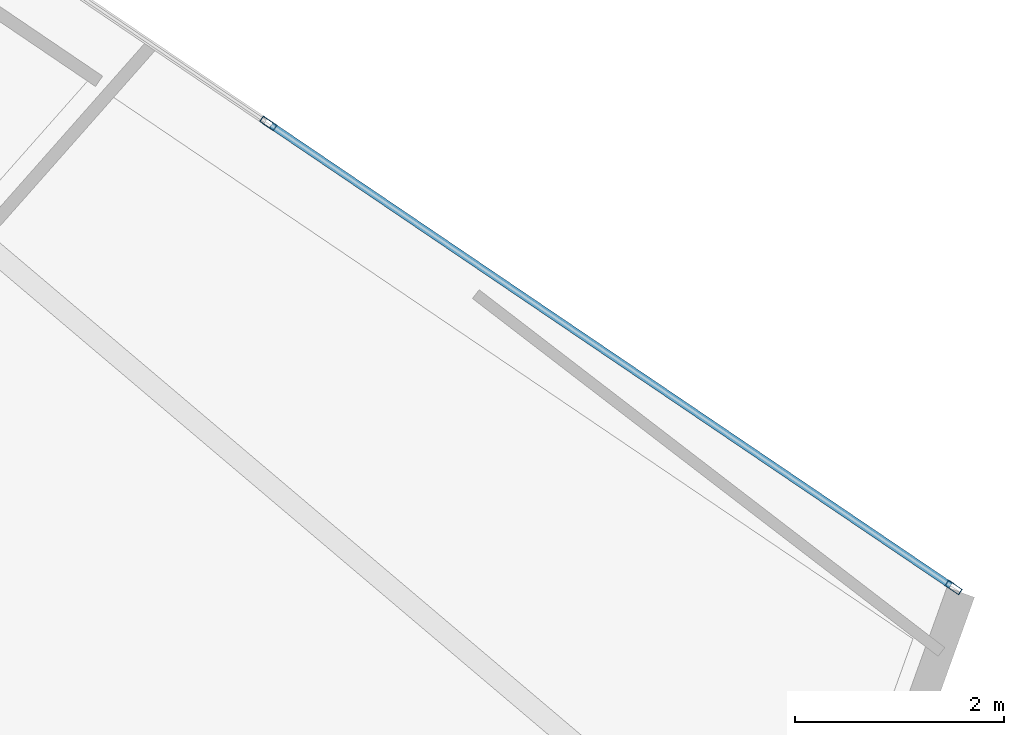
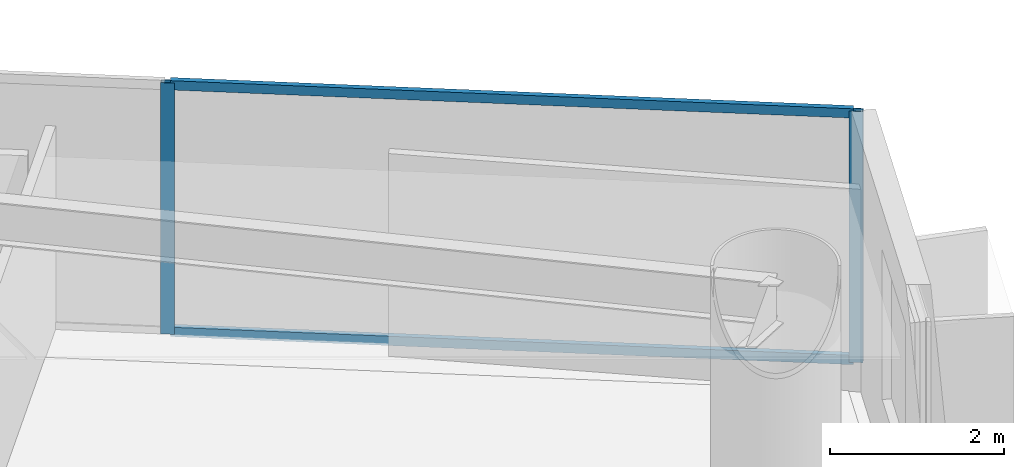
# One storey, part 13 of 21: 4 members, 1 element without a shape of its own.
"""IFC4 building model written with IfcOpenShell, lengths in metres."""

from ifc_helpers import new_model, si_unit, direction, frame, origin, origin_2d, place, context, subcontext, project, spatial, hollow_rectangle, extrude, material, layer, layer_set, material_profile, profile_set, type_object, element, aggregate, save


model = new_model("IFC4")

# Units and contexts
model_context = context("Model", 3, precision=1e-05, world=origin(), true_north=direction((0.0, 1.0)))
body_context = subcontext(model_context, "Body", "Model", "MODEL_VIEW")
ifc_project = project(units=[si_unit("LENGTHUNIT", "METRE"), si_unit("AREAUNIT", "SQUARE_METRE"), si_unit("VOLUMEUNIT", "CUBIC_METRE"), si_unit("PLANEANGLEUNIT", "RADIAN"), si_unit("MASSUNIT", "GRAM", prefix="KILO")], contexts=[model_context])

# Site, building, storey
site_placement = place(None, origin())
site = spatial("IfcSite", under=ifc_project, at=site_placement, CompositionType="ELEMENT")
building_placement = place(site_placement, origin())
building = spatial("IfcBuilding", under=site, at=building_placement, Name="Qianvela Tower", CompositionType="ELEMENT")
storey_placement = place(building_placement, frame((0.0, 0.0, 108.89990234375)))
storey = spatial("IfcBuildingStorey", under=building, at=storey_placement, Name="L27", CompositionType="ELEMENT", Elevation=108.89990234375)

# Curtain wall, members
ifc_material_1 = material(Name="Anodised Architectural Aluminium and Low-E Glass", Category="aluminium")
ifc_layer = layer(ifc_material_1, 0.169921875)
ifc_layer_set = layer_set([ifc_layer], Name="Anodised Architectural Aluminium and Low-E Glass")
curtain_wall_type = type_object("IfcCurtainWallType", Name="CW-COLIV-Z34", PredefinedType="USERDEFINED", material=ifc_layer_set)
curtain_wall_placement = place(storey_placement, origin())
curtain_wall = element("IfcCurtainWall", 1, at=curtain_wall_placement, inside=storey, type_object=curtain_wall_type, Name="L27 CW-COLIV-Z34 Curtain Wall 02A", ObjectType="CURTAIN_WALL_SYSTEM", PredefinedType="USERDEFINED")
ifc_material_2 = material(Name="Anodised Architectural Aluminium 6063-T6", Category="aluminium")
ifc_material_profile_1 = material_profile(ifc_material_2, hollow_rectangle(XDim=0.06494140625, YDim=0.159912109375, WallThickness=0.0048828125, at=origin_2d()), Name="ALU-MULL-65x160")
ifc_profile_set_1 = profile_set([ifc_material_profile_1], Name="Anodised Architectural Aluminium 6063-T6")
member_type_1 = type_object("IfcMemberType", Name="CW-COLIV-Z34-MULL", PredefinedType="MULLION", material=ifc_profile_set_1)
member_1_placement = place(storey_placement, frame((59.6787109375, 26.416748046875, 0.0), z_axis=(0.0, 0.0, 1.0), x_axis=(-0.560829244135, -0.8279314941, 0.0)))
member_1 = element("IfcMember", 2, at=member_1_placement, type_object=member_type_1, Name="CW-4 mullion 1", PredefinedType="MULLION", context=body_context, shape_type="SweptSolid", body=[
    extrude(hollow_rectangle(XDim=0.06494140625, YDim=0.159912109375, WallThickness=0.0048828125, at=origin_2d()), origin(), (0.0, 0.0, 1.0), 3.52001953125),
])
member_2_placement = place(storey_placement, frame((53.119384765625, 30.85986328125, 0.0), z_axis=(0.0, 0.0, 1.0), x_axis=(-0.560829244135, -0.8279314941, 0.0)))
member_2 = element("IfcMember", 3, at=member_2_placement, type_object=member_type_1, Name="CW-4 mullion 2", PredefinedType="MULLION", context=body_context, shape_type="SweptSolid", body=[
    extrude(hollow_rectangle(XDim=0.06494140625, YDim=0.159912109375, WallThickness=0.0048828125, at=origin_2d()), origin(), (0.0, 0.0, 1.0), 3.52001953125),
])
ifc_material_3 = material(Name="Anodised Architectural Aluminium 6063-T6", Category="aluminium")
ifc_material_profile_2 = material_profile(ifc_material_3, hollow_rectangle(XDim=0.06494140625, YDim=0.1298828125, WallThickness=0.00439453125, at=origin_2d()), Name="ALU-TRAN-65x130")
ifc_profile_set_2 = profile_set([ifc_material_profile_2], Name="Anodised Architectural Aluminium 6063-T6")
member_type_2 = type_object("IfcMemberType", Name="CW-COLIV-Z34-TRAN", PredefinedType="USERDEFINED", material=ifc_profile_set_2)
member_3_placement = place(storey_placement, frame((59.65185546875, 26.434814453125, 0.03271484375), z_axis=(-0.827926136892, 0.560837152702, 0.0), x_axis=(-0.560837152702, -0.827926136892, 0.0)))
member_3 = element("IfcMember", 4, at=member_3_placement, type_object=member_type_2, Name="CW-4 transom 1.1", ObjectType="TRANSOM", PredefinedType="USERDEFINED", context=body_context, shape_type="SweptSolid", body=[
    extrude(hollow_rectangle(XDim=0.06494140625, YDim=0.1298828125, WallThickness=0.00439453125, at=origin_2d()), origin(), (0.0, 0.0, 1.0), 7.857421875),
])
member_4_placement = place(storey_placement, frame((59.65185546875, 26.434814453125, 3.487548828125), z_axis=(-0.827926136892, 0.560837152702, 0.0), x_axis=(-0.560837152702, -0.827926136892, 0.0)))
member_4 = element("IfcMember", 5, at=member_4_placement, type_object=member_type_2, Name="CW-4 transom 1.2", ObjectType="TRANSOM", PredefinedType="USERDEFINED", context=body_context, shape_type="SweptSolid", body=[
    extrude(hollow_rectangle(XDim=0.06494140625, YDim=0.1298828125, WallThickness=0.00439453125, at=origin_2d()), origin(), (0.0, 0.0, 1.0), 7.857421875),
])
aggregate(curtain_wall, [member_1, member_2, member_3, member_4])

save(model, "model.ifc")
